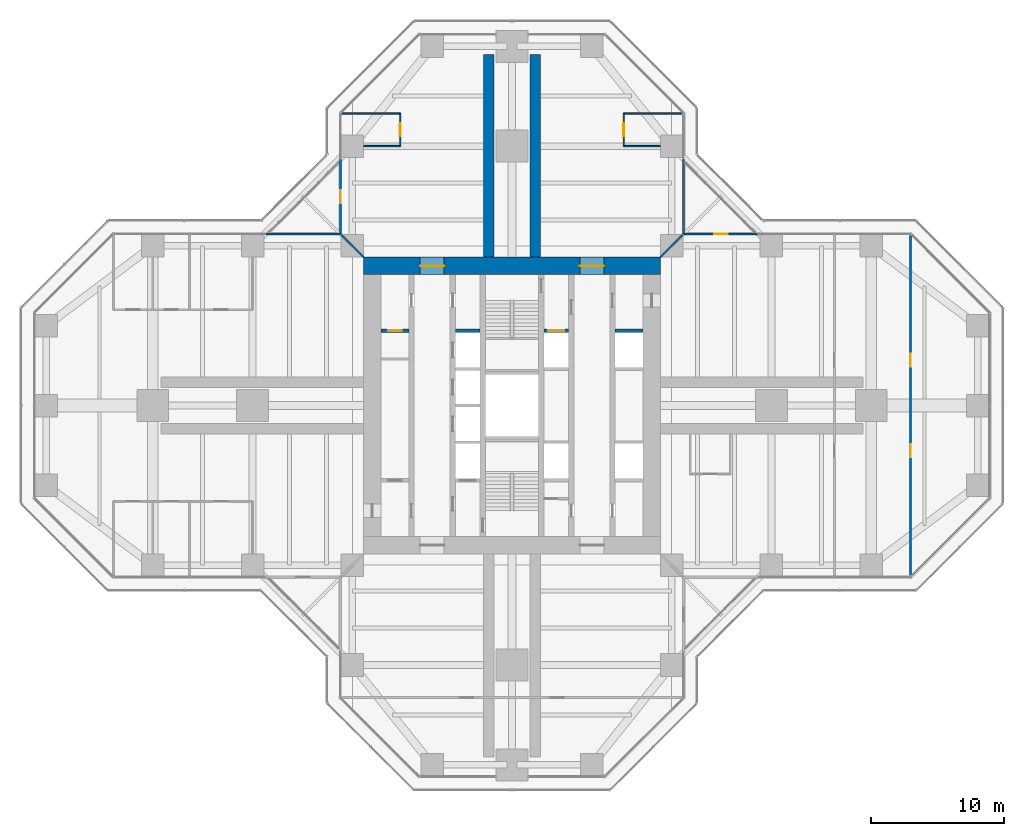
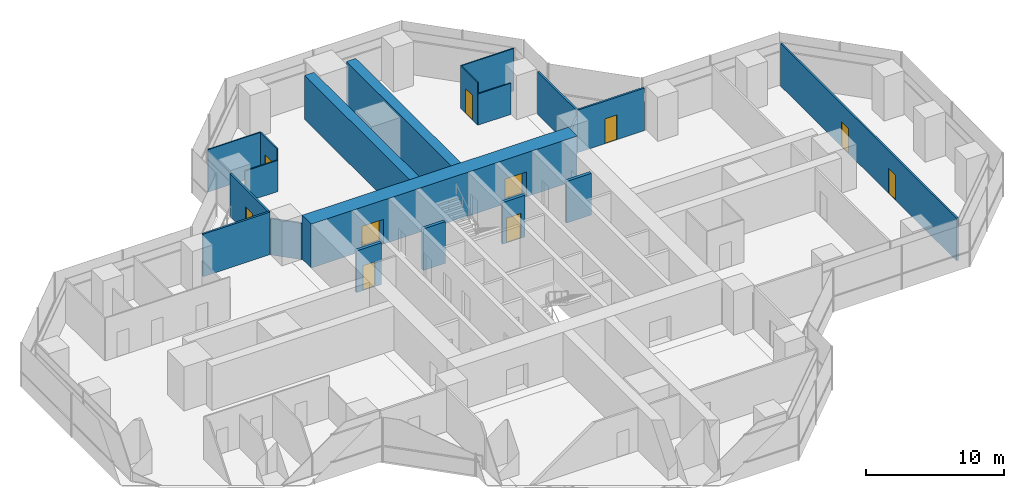
# One storey, part 17 of 20: 20 walls, 10 doors, 10 openings.
"""IFC4 building model written with IfcOpenShell, lengths in metres."""

from ifc_helpers import new_model, si_unit, direction, frame, frame_2d, origin, place, context, subcontext, project, spatial, rectangle, extrude, material, layer, layer_set, type_object, element, fill, save


model = new_model("IFC4")

# Units and contexts
model_context = context("Model", 3, precision=1e-05, world=origin(), true_north=direction((0.0, 1.0)))
body_context = subcontext(model_context, "Body", "Model", "MODEL_VIEW")
ifc_project = project(units=[si_unit("LENGTHUNIT", "METRE"), si_unit("AREAUNIT", "SQUARE_METRE"), si_unit("VOLUMEUNIT", "CUBIC_METRE"), si_unit("PLANEANGLEUNIT", "RADIAN"), si_unit("MASSUNIT", "GRAM", prefix="KILO")], contexts=[model_context])

# Site, building, storey
site_placement = place(None, origin())
site = spatial("IfcSite", under=ifc_project, at=site_placement, CompositionType="ELEMENT")
building_placement = place(site_placement, origin())
building = spatial("IfcBuilding", under=site, at=building_placement, Name="Mizan Broadcast Tower", CompositionType="ELEMENT")
storey_placement = place(building_placement, frame((0.0, 0.0, 174.89990234375)))
storey = spatial("IfcBuildingStorey", under=building, at=storey_placement, Name="L40", CompositionType="ELEMENT", Elevation=174.89990234375)

# Wall, openings, doors
ifc_material_1 = material(Name="Concrete C70/85", Category="concrete")
ifc_layer_1 = layer(ifc_material_1, 1.300048828125)
ifc_layer_set_1 = layer_set([ifc_layer_1], Name="Concrete C70/85")
wall_type_1 = type_object("IfcWallType", Name="CORE WALL 1300", PredefinedType="SHEAR", material=ifc_layer_set_1)
wall_1_placement = place(storey_placement, frame((-11.14990234375, 10.5, 0.0), z_axis=(0.0, 0.0, 1.0), x_axis=(1.0, 0.0, 0.0)))
wall_1 = element("IfcWall", 1, at=wall_1_placement, inside=storey, type_object=wall_type_1, Name="Core wall N L40", PredefinedType="SHEAR", context=body_context, shape_type="SweptSolid", body=[
    extrude(rectangle(XDim=22.2998046875, YDim=1.300048828125, at=frame_2d((11.14990234375, 0.0))), origin(), (0.0, 0.0, 1.0), 3.900146484375),
])
opening_1_placement = place(wall_1_placement, frame((4.25, 0.0, 0.0)))
opening_1 = element("IfcOpeningElement", 2, at=opening_1_placement, cuts=wall_1, Name="Opening D18F", PredefinedType="OPENING", context=body_context, shape_type="SweptSolid", body=[
    extrude(rectangle(XDim=1.800048828125, YDim=2.199951171875, at=frame_2d((0.89990234375, 1.10009765625))), frame((0.0, 0.659912109375, 0.0), z_axis=(0.0, -1.0, 0.0), x_axis=(1.0, 0.0, 0.0)), (0.0, 0.0, 1.0), 1.320068359375),
])
opening_2_placement = place(wall_1_placement, frame((16.25, 0.0, 0.0)))
opening_2 = element("IfcOpeningElement", 3, at=opening_2_placement, cuts=wall_1, Name="Opening D18F", PredefinedType="OPENING", context=body_context, shape_type="SweptSolid", body=[
    extrude(rectangle(XDim=1.800048828125, YDim=2.199951171875, at=frame_2d((0.89990234375, 1.10009765625))), frame((0.0, 0.659912109375, 0.0), z_axis=(0.0, -1.0, 0.0), x_axis=(1.0, 0.0, 0.0)), (0.0, 0.0, 1.0), 1.320068359375),
])
ifc_material_2 = material(Name="Steel door leaf in steel frame", Category="steel")
door_type_1 = type_object("IfcDoorType", Name="LOBBY DOUBLE DOOR 1800 FD90", OperationType="DOUBLE_DOOR_DOUBLE_SWING", PredefinedType="DOOR", material=ifc_material_2)
door_1_placement = place(opening_1_placement, origin())
door_1 = element("IfcDoor", 4, at=door_1_placement, inside=storey, type_object=door_type_1, Name="West lift lobby north door", OperationType="DOUBLE_DOOR_DOUBLE_SWING", OverallHeight=2.199951171875, OverallWidth=1.800048828125, PredefinedType="DOOR", context=body_context, shape_type="SweptSolid", body=[
    extrude(rectangle(XDim=1.800048828125, YDim=2.199951171875, at=frame_2d((0.89990234375, 1.10009765625))), frame((0.0, 0.02490234375, 0.0), z_axis=(0.0, -1.0, 0.0), x_axis=(1.0, 0.0, 0.0)), (0.0, 0.0, 1.0), 0.050048828125),
])
fill(opening_1, door_1)
door_2_placement = place(opening_2_placement, origin())
door_2 = element("IfcDoor", 5, at=door_2_placement, inside=storey, type_object=door_type_1, Name="East lift lobby north door", OperationType="DOUBLE_DOOR_DOUBLE_SWING", OverallHeight=2.199951171875, OverallWidth=1.800048828125, PredefinedType="DOOR", context=body_context, shape_type="SweptSolid", body=[
    extrude(rectangle(XDim=1.800048828125, YDim=2.199951171875, at=frame_2d((0.89990234375, 1.10009765625))), frame((0.0, 0.02490234375, 0.0), z_axis=(0.0, -1.0, 0.0), x_axis=(1.0, 0.0, 0.0)), (0.0, 0.0, 1.0), 0.050048828125),
])
fill(opening_2, door_2)

# Wall, opening, door
ifc_material_3 = material(Name="Aluminium framed glazed screen", Category="aluminium")
ifc_layer_2 = layer(ifc_material_3, 0.159912109375)
ifc_layer_set_2 = layer_set([ifc_layer_2], Name="Aluminium framed glazed screen")
wall_type_2 = type_object("IfcWallType", Name="GLAZED SCREEN WALL 160", PredefinedType="SOLIDWALL", material=ifc_layer_set_2)
wall_2_placement = place(storey_placement, frame((18.5, 12.89990234375, 0.0), z_axis=(0.0, 0.0, 1.0), x_axis=(-1.0, 0.0, 0.0)))
wall_2 = element("IfcWall", 6, at=wall_2_placement, inside=storey, type_object=wall_type_2, Name="Winter garden screen L40 E", PredefinedType="SOLIDWALL", context=body_context, shape_type="SweptSolid", body=[
    extrude(rectangle(XDim=5.60009765625, YDim=0.159912109375, at=frame_2d((2.800048828125, 0.0))), origin(), (0.0, 0.0, 1.0), 3.77001953125),
])
opening_3_placement = place(wall_2_placement, frame((2.300048828125, 0.0, 0.0)))
opening_3 = element("IfcOpeningElement", 7, at=opening_3_placement, cuts=wall_2, Name="Opening WGD", PredefinedType="OPENING", context=body_context, shape_type="SweptSolid", body=[
    extrude(rectangle(XDim=1.0, YDim=2.199951171875, at=frame_2d((0.5, 1.10009765625))), frame((0.0, 0.08984375, 0.0), z_axis=(0.0, -1.0, 0.0), x_axis=(1.0, 0.0, 0.0)), (0.0, 0.0, 1.0), 0.179931640625),
])
ifc_material_4 = material(Name="Aluminium framed glazed door", Category="aluminium")
door_type_2 = type_object("IfcDoorType", Name="WINTER GARDEN DOOR 1000 GLAZED", OperationType="SINGLE_SWING_LEFT", PredefinedType="DOOR", material=ifc_material_4)
door_3_placement = place(opening_3_placement, origin())
door_3 = element("IfcDoor", 8, at=door_3_placement, inside=storey, type_object=door_type_2, Name="Winter garden door L40 E", OperationType="SINGLE_SWING_RIGHT", OverallHeight=2.199951171875, OverallWidth=1.0, PredefinedType="DOOR", context=body_context, shape_type="SweptSolid", body=[
    extrude(rectangle(XDim=1.0, YDim=2.199951171875, at=frame_2d((0.5, 1.10009765625))), frame((0.0, 0.02490234375, 0.0), z_axis=(0.0, -1.0, 0.0), x_axis=(1.0, 0.0, 0.0)), (0.0, 0.0, 1.0), 0.050048828125),
])
fill(opening_3, door_3)

# Wall
wall_3_placement = place(storey_placement, frame((12.89990234375, 12.89990234375, 0.0), z_axis=(0.0, 0.0, 1.0), x_axis=(0.0, 1.0, 0.0)))
element("IfcWall", 9, at=wall_3_placement, inside=storey, type_object=wall_type_2, Name="Winter garden screen L40 N", PredefinedType="SOLIDWALL", context=body_context, shape_type="SweptSolid", body=[
    extrude(rectangle(XDim=5.60009765625, YDim=0.159912109375, at=frame_2d((2.800048828125, 0.0))), origin(), (0.0, 0.0, 1.0), 3.77001953125),
])

# Wall, opening, door
wall_4_placement = place(storey_placement, frame((-12.89990234375, 18.5, 0.0), z_axis=(0.0, 0.0, 1.0), x_axis=(0.0, -1.0, 0.0)))
wall_4 = element("IfcWall", 10, at=wall_4_placement, inside=storey, type_object=wall_type_2, Name="Winter garden screen L40 N", PredefinedType="SOLIDWALL", context=body_context, shape_type="SweptSolid", body=[
    extrude(rectangle(XDim=5.60009765625, YDim=0.159912109375, at=frame_2d((2.800048828125, 0.0))), origin(), (0.0, 0.0, 1.0), 3.77001953125),
])
opening_4_placement = place(wall_4_placement, frame((2.300048828125, 0.0, 0.0)))
opening_4 = element("IfcOpeningElement", 11, at=opening_4_placement, cuts=wall_4, Name="Opening WGD", PredefinedType="OPENING", context=body_context, shape_type="SweptSolid", body=[
    extrude(rectangle(XDim=1.0, YDim=2.199951171875, at=frame_2d((0.5, 1.10009765625))), frame((0.0, 0.08984375, 0.0), z_axis=(0.0, -1.0, 0.0), x_axis=(1.0, 0.0, 0.0)), (0.0, 0.0, 1.0), 0.179931640625),
])
door_4_placement = place(opening_4_placement, origin())
door_4 = element("IfcDoor", 12, at=door_4_placement, inside=storey, type_object=door_type_2, Name="Winter garden door L40 N", OperationType="SINGLE_SWING_RIGHT", OverallHeight=2.199951171875, OverallWidth=1.0, PredefinedType="DOOR", context=body_context, shape_type="SweptSolid", body=[
    extrude(rectangle(XDim=1.0, YDim=2.199951171875, at=frame_2d((0.5, 1.10009765625))), frame((0.0, 0.02490234375, 0.0), z_axis=(0.0, -1.0, 0.0), x_axis=(1.0, 0.0, 0.0)), (0.0, 0.0, 1.0), 0.050048828125),
])
fill(opening_4, door_4)

# Wall
wall_5_placement = place(storey_placement, frame((-12.89990234375, 12.89990234375, 0.0), z_axis=(0.0, 0.0, 1.0), x_axis=(-1.0, 0.0, 0.0)))
element("IfcWall", 13, at=wall_5_placement, inside=storey, type_object=wall_type_2, Name="Winter garden screen L40 W", PredefinedType="SOLIDWALL", context=body_context, shape_type="SweptSolid", body=[
    extrude(rectangle(XDim=5.60009765625, YDim=0.159912109375, at=frame_2d((2.800048828125, 0.0))), origin(), (0.0, 0.0, 1.0), 3.77001953125),
])

# Wall, opening, door
ifc_material_5 = material(Name="Concrete blockwork", Category="masonry")
ifc_layer_3 = layer(ifc_material_5, 0.25)
ifc_layer_set_3 = layer_set([ifc_layer_3], Name="Concrete blockwork")
wall_type_3 = type_object("IfcWallType", Name="LOBBY ENCLOSURE WALL 250", PredefinedType="SOLIDWALL", material=ifc_layer_set_3)
wall_6_placement = place(storey_placement, frame((-9.85009765625, 5.625, 0.0), z_axis=(0.0, 0.0, 1.0), x_axis=(1.0, 0.0, 0.0)))
wall_6 = element("IfcWall", 14, at=wall_6_placement, inside=storey, type_object=wall_type_3, Name="Lobby enclosure wall CORE/BW1N", PredefinedType="SOLIDWALL", context=body_context, shape_type="SweptSolid", body=[
    extrude(rectangle(XDim=2.10009765625, YDim=0.25, at=frame_2d((1.050048828125, 0.0))), origin(), (0.0, 0.0, 1.0), 3.7001953125),
])
opening_5_placement = place(wall_6_placement, frame((0.550048828125, 0.0, 0.0)))
opening_5 = element("IfcOpeningElement", 15, at=opening_5_placement, cuts=wall_6, Name="Opening D10F", PredefinedType="OPENING", context=body_context, shape_type="SweptSolid", body=[
    extrude(rectangle(XDim=1.0, YDim=2.199951171875, at=frame_2d((0.5, 1.10009765625))), frame((0.0, 0.135009765625, 0.0), z_axis=(0.0, -1.0, 0.0), x_axis=(1.0, 0.0, 0.0)), (0.0, 0.0, 1.0), 0.27001953125),
])
ifc_material_6 = material(Name="Steel door leaf in steel frame", Category="steel")
door_type_3 = type_object("IfcDoorType", Name="FIRE DOOR 1000 FD90", OperationType="SINGLE_SWING_LEFT", PredefinedType="DOOR", material=ifc_material_6)
door_5_placement = place(opening_5_placement, origin())
door_5 = element("IfcDoor", 16, at=door_5_placement, inside=storey, type_object=door_type_3, Name="Male staff shower room door", OperationType="SINGLE_SWING_RIGHT", OverallHeight=2.199951171875, OverallWidth=1.0, PredefinedType="DOOR", context=body_context, shape_type="SweptSolid", body=[
    extrude(rectangle(XDim=1.0, YDim=2.199951171875, at=frame_2d((0.5, 1.10009765625))), frame((0.0, 0.02490234375, 0.0), z_axis=(0.0, -1.0, 0.0), x_axis=(1.0, 0.0, 0.0)), (0.0, 0.0, 1.0), 0.050048828125),
])
fill(opening_5, door_5)

# Wall
wall_7_placement = place(storey_placement, frame((-4.25, 5.625, 0.0), z_axis=(0.0, 0.0, 1.0), x_axis=(1.0, 0.0, 0.0)))
element("IfcWall", 17, at=wall_7_placement, inside=storey, type_object=wall_type_3, Name="Lobby enclosure wall CORE/BW2N", PredefinedType="SOLIDWALL", context=body_context, shape_type="SweptSolid", body=[
    extrude(rectangle(XDim=1.85009765625, YDim=0.25, at=frame_2d((0.925048828125, 0.0))), origin(), (0.0, 0.0, 1.0), 3.7001953125),
])

# Wall, opening, door
wall_8_placement = place(storey_placement, frame((2.39990234375, 5.625, 0.0), z_axis=(0.0, 0.0, 1.0), x_axis=(1.0, 0.0, 0.0)))
wall_8 = element("IfcWall", 18, at=wall_8_placement, inside=storey, type_object=wall_type_3, Name="Lobby enclosure wall CORE/BE2N", PredefinedType="SOLIDWALL", context=body_context, shape_type="SweptSolid", body=[
    extrude(rectangle(XDim=1.85009765625, YDim=0.25, at=frame_2d((0.925048828125, 0.0))), origin(), (0.0, 0.0, 1.0), 3.7001953125),
])
opening_6_placement = place(wall_8_placement, frame((0.324951171875, 0.0, 0.0)))
opening_6 = element("IfcOpeningElement", 19, at=opening_6_placement, cuts=wall_8, Name="Opening LDF", PredefinedType="OPENING", context=body_context, shape_type="SweptSolid", body=[
    extrude(rectangle(XDim=1.199951171875, YDim=2.199951171875, at=frame_2d((0.60009765625, 1.10009765625))), frame((0.0, 0.135009765625, 0.0), z_axis=(0.0, -1.0, 0.0), x_axis=(1.0, 0.0, 0.0)), (0.0, 0.0, 1.0), 0.27001953125),
])
ifc_material_7 = material(Name="Steel door leaf in steel frame", Category="steel")
door_type_4 = type_object("IfcDoorType", Name="FIREFIGHTING LIFT LANDING DOOR 1200", OperationType="SLIDING_TO_LEFT", PredefinedType="DOOR", material=ifc_material_7)
door_6_placement = place(opening_6_placement, origin())
door_6 = element("IfcDoor", 20, at=door_6_placement, inside=storey, type_object=door_type_4, Name="Landing door FF2", OperationType="SLIDING_TO_LEFT", OverallHeight=2.199951171875, OverallWidth=1.199951171875, PredefinedType="DOOR", context=body_context, shape_type="SweptSolid", body=[
    extrude(rectangle(XDim=1.199951171875, YDim=2.199951171875, at=frame_2d((0.60009765625, 1.10009765625))), frame((0.0, 0.02490234375, 0.0), z_axis=(0.0, -1.0, 0.0), x_axis=(1.0, 0.0, 0.0)), (0.0, 0.0, 1.0), 0.050048828125),
])
fill(opening_6, door_6)

# Wall
wall_9_placement = place(storey_placement, frame((7.75, 5.625, 0.0), z_axis=(0.0, 0.0, 1.0), x_axis=(1.0, 0.0, 0.0)))
element("IfcWall", 21, at=wall_9_placement, inside=storey, type_object=wall_type_3, Name="Lobby enclosure wall CORE/BE1N", PredefinedType="SOLIDWALL", context=body_context, shape_type="SweptSolid", body=[
    extrude(rectangle(XDim=2.10009765625, YDim=0.25, at=frame_2d((1.050048828125, 0.0))), origin(), (0.0, 0.0, 1.0), 3.7001953125),
])

# Wall, openings, doors
ifc_material_8 = material(Name="Gypsum board on steel studs", Category="steel")
ifc_layer_4 = layer(ifc_material_8, 0.14990234375)
ifc_layer_set_4 = layer_set([ifc_layer_4], Name="Gypsum board on steel studs")
wall_type_4 = type_object("IfcWallType", Name="PARTITION 150", PredefinedType="PARTITIONING", material=ifc_layer_set_4)
wall_10_placement = place(storey_placement, frame((29.958984375, -12.786376953125, 0.0), z_axis=(0.0, 0.0, 1.0), x_axis=(0.0, 1.0, 0.0)))
wall_10 = element("IfcWall", 22, at=wall_10_placement, inside=storey, type_object=wall_type_4, Name="Partition PT/EX2", PredefinedType="PARTITIONING", context=body_context, shape_type="SweptSolid", body=[
    extrude(rectangle(XDim=25.57275390625, YDim=0.14990234375, at=frame_2d((12.786376953125, 0.0))), origin(), (0.0, 0.0, 1.0), 3.77001953125),
])
opening_7_placement = place(wall_10_placement, frame((15.6865234375, 0.0, 0.0)))
opening_7 = element("IfcOpeningElement", 23, at=opening_7_placement, cuts=wall_10, Name="Opening D10", PredefinedType="OPENING", context=body_context, shape_type="SweptSolid", body=[
    extrude(rectangle(XDim=1.0, YDim=2.199951171875, at=frame_2d((0.5, 1.10009765625))), frame((0.0, 0.0849609375, 0.0), z_axis=(0.0, -1.0, 0.0), x_axis=(1.0, 0.0, 0.0)), (0.0, 0.0, 1.0), 0.169921875),
])
opening_8_placement = place(wall_10_placement, frame((8.886474609375, 0.0, 0.0)))
opening_8 = element("IfcOpeningElement", 24, at=opening_8_placement, cuts=wall_10, Name="Opening D10", PredefinedType="OPENING", context=body_context, shape_type="SweptSolid", body=[
    extrude(rectangle(XDim=1.0, YDim=2.199951171875, at=frame_2d((0.5, 1.10009765625))), frame((0.0, 0.0849609375, 0.0), z_axis=(0.0, -1.0, 0.0), x_axis=(1.0, 0.0, 0.0)), (0.0, 0.0, 1.0), 0.169921875),
])
ifc_material_9 = material(Name="Timber door leaf in aluminium frame", Category="wood")
door_type_5 = type_object("IfcDoorType", Name="ROOM DOOR 1000", OperationType="SINGLE_SWING_LEFT", PredefinedType="DOOR", material=ifc_material_9)
door_7_placement = place(opening_7_placement, origin())
door_7 = element("IfcDoor", 25, at=door_7_placement, inside=storey, type_object=door_type_5, Name="Open office door", OperationType="SINGLE_SWING_RIGHT", OverallHeight=2.199951171875, OverallWidth=1.0, PredefinedType="DOOR", context=body_context, shape_type="SweptSolid", body=[
    extrude(rectangle(XDim=1.0, YDim=2.199951171875, at=frame_2d((0.5, 1.10009765625))), frame((0.0, 0.02490234375, 0.0), z_axis=(0.0, -1.0, 0.0), x_axis=(1.0, 0.0, 0.0)), (0.0, 0.0, 1.0), 0.050048828125),
])
fill(opening_7, door_7)
door_8_placement = place(opening_8_placement, origin())
door_8 = element("IfcDoor", 26, at=door_8_placement, inside=storey, type_object=door_type_5, Name="Open office door", OperationType="SINGLE_SWING_LEFT", OverallHeight=2.199951171875, OverallWidth=1.0, PredefinedType="DOOR", context=body_context, shape_type="SweptSolid", body=[
    extrude(rectangle(XDim=1.0, YDim=2.199951171875, at=frame_2d((0.5, 1.10009765625))), frame((0.0, 0.02490234375, 0.0), z_axis=(0.0, -1.0, 0.0), x_axis=(1.0, 0.0, 0.0)), (0.0, 0.0, 1.0), 0.050048828125),
])
fill(opening_8, door_8)

# Walls
for number, where, z_axis, x_axis, name in (
    (27, (11.14990234375, 11.14990234375, 0.0), (0.0, 0.0, 1.0), (0.707106781187, 0.707106781187, 0.0), "Partition PT/DGEN"),
    (28, (-11.14990234375, 11.14990234375, 0.0), (0.0, 0.0, 1.0), (-0.707106781187, 0.707106781187, 0.0), "Partition PT/DGWN"),
):
    element("IfcWall", number, at=place(storey_placement, frame(where, z_axis=z_axis, x_axis=x_axis)), inside=storey, type_object=wall_type_4, Name=name, PredefinedType="PARTITIONING", context=body_context, shape_type="SweptSolid", body=[
        extrude(rectangle(XDim=2.362060546875, YDim=0.14990234375, at=frame_2d((1.18115234375, 0.0))), origin(), (0.0, 0.0, 1.0), 3.22021484375),
    ])

# Wall, opening, door
ifc_material_10 = material(Name="Glazed aluminium partition on aluminium track", Category="aluminium")
ifc_layer_5 = layer(ifc_material_10, 0.10009765625)
ifc_layer_set_5 = layer_set([ifc_layer_5], Name="Glazed aluminium partition on aluminium track")
wall_type_5 = type_object("IfcWallType", Name="PARTITION GLAZED OFFICE FRONT 100", PredefinedType="PARTITIONING", material=ifc_layer_set_5)
wall_11_placement = place(storey_placement, frame((-8.39990234375, 19.5, 0.0), z_axis=(0.0, 0.0, 1.0), x_axis=(0.0, 1.0, 0.0)))
wall_11 = element("IfcWall", 29, at=wall_11_placement, inside=storey, type_object=wall_type_5, Name="Glazed office front PT/NCP0", PredefinedType="PARTITIONING", context=body_context, shape_type="SweptSolid", body=[
    extrude(rectangle(XDim=2.458984375, YDim=0.10009765625, at=frame_2d((1.2294921875, 0.0))), origin(), (0.0, 0.0, 1.0), 3.77001953125),
])
opening_9_placement = place(wall_11_placement, frame((0.7294921875, 0.0, 0.0)))
opening_9 = element("IfcOpeningElement", 30, at=opening_9_placement, cuts=wall_11, Name="Opening D10O", PredefinedType="OPENING", context=body_context, shape_type="SweptSolid", body=[
    extrude(rectangle(XDim=1.0, YDim=2.199951171875, at=frame_2d((0.5, 1.10009765625))), frame((0.0, 0.06005859375, 0.0), z_axis=(0.0, -1.0, 0.0), x_axis=(1.0, 0.0, 0.0)), (0.0, 0.0, 1.0), 0.1201171875),
])
ifc_material_11 = material(Name="Timber door leaf in aluminium frame", Category="wood")
door_type_6 = type_object("IfcDoorType", Name="OFFICE DOOR 1000 GLAZED", OperationType="SINGLE_SWING_LEFT", PredefinedType="DOOR", material=ifc_material_11)
door_9_placement = place(opening_9_placement, origin())
door_9 = element("IfcDoor", 31, at=door_9_placement, inside=storey, type_object=door_type_6, Name="Director's office door", OperationType="SINGLE_SWING_LEFT", OverallHeight=2.199951171875, OverallWidth=1.0, PredefinedType="DOOR", context=body_context, shape_type="SweptSolid", body=[
    extrude(rectangle(XDim=1.0, YDim=2.199951171875, at=frame_2d((0.5, 1.10009765625))), frame((0.0, 0.02490234375, 0.0), z_axis=(0.0, -1.0, 0.0), x_axis=(1.0, 0.0, 0.0)), (0.0, 0.0, 1.0), 0.050048828125),
])
fill(opening_9, door_9)

# Walls
wall_12_placement = place(storey_placement, frame((-8.39990234375, 19.5, 0.0), z_axis=(0.0, 0.0, 1.0), x_axis=(-1.0, 0.0, 0.0)))
element("IfcWall", 32, at=wall_12_placement, inside=storey, type_object=wall_type_5, Name="Glazed office front PT/NQP1950", PredefinedType="PARTITIONING", context=body_context, shape_type="SweptSolid", body=[
    extrude(rectangle(XDim=2.75, YDim=0.10009765625, at=frame_2d((1.375, 0.0))), origin(), (0.0, 0.0, 1.0), 2.77001953125),
])
wall_13_placement = place(storey_placement, frame((-8.39990234375, 21.958984375, 0.0), z_axis=(0.0, 0.0, 1.0), x_axis=(-1.0, 0.0, 0.0)))
element("IfcWall", 33, at=wall_13_placement, inside=storey, type_object=wall_type_5, Name="Glazed office front PT/NQP2196", PredefinedType="PARTITIONING", context=body_context, shape_type="SweptSolid", body=[
    extrude(rectangle(XDim=4.420166015625, YDim=0.10009765625, at=frame_2d((2.2099609375, 0.0))), origin(), (0.0, 0.0, 1.0), 3.77001953125),
])

# Wall, opening, door
wall_14_placement = place(storey_placement, frame((8.39990234375, 19.5, 0.0), z_axis=(0.0, 0.0, 1.0), x_axis=(0.0, 1.0, 0.0)))
wall_14 = element("IfcWall", 34, at=wall_14_placement, inside=storey, type_object=wall_type_5, Name="Glazed office front PT/NCN0", PredefinedType="PARTITIONING", context=body_context, shape_type="SweptSolid", body=[
    extrude(rectangle(XDim=2.458984375, YDim=0.10009765625, at=frame_2d((1.2294921875, 0.0))), origin(), (0.0, 0.0, 1.0), 3.77001953125),
])
opening_10_placement = place(wall_14_placement, frame((0.7294921875, 0.0, 0.0)))
opening_10 = element("IfcOpeningElement", 35, at=opening_10_placement, cuts=wall_14, Name="Opening D10O", PredefinedType="OPENING", context=body_context, shape_type="SweptSolid", body=[
    extrude(rectangle(XDim=1.0, YDim=2.199951171875, at=frame_2d((0.5, 1.10009765625))), frame((0.0, 0.06005859375, 0.0), z_axis=(0.0, -1.0, 0.0), x_axis=(1.0, 0.0, 0.0)), (0.0, 0.0, 1.0), 0.1201171875),
])
door_10_placement = place(opening_10_placement, origin())
door_10 = element("IfcDoor", 36, at=door_10_placement, inside=storey, type_object=door_type_6, Name="Quiet room door", OperationType="SINGLE_SWING_LEFT", OverallHeight=2.199951171875, OverallWidth=1.0, PredefinedType="DOOR", context=body_context, shape_type="SweptSolid", body=[
    extrude(rectangle(XDim=1.0, YDim=2.199951171875, at=frame_2d((0.5, 1.10009765625))), frame((0.0, 0.02490234375, 0.0), z_axis=(0.0, -1.0, 0.0), x_axis=(1.0, 0.0, 0.0)), (0.0, 0.0, 1.0), 0.050048828125),
])
fill(opening_10, door_10)

# Walls
wall_15_placement = place(storey_placement, frame((8.39990234375, 19.5, 0.0), z_axis=(0.0, 0.0, 1.0), x_axis=(1.0, 0.0, 0.0)))
element("IfcWall", 37, at=wall_15_placement, inside=storey, type_object=wall_type_5, Name="Glazed office front PT/NQN1950", PredefinedType="PARTITIONING", context=body_context, shape_type="SweptSolid", body=[
    extrude(rectangle(XDim=2.75, YDim=0.10009765625, at=frame_2d((1.375, 0.0))), origin(), (0.0, 0.0, 1.0), 2.77001953125),
])
wall_16_placement = place(storey_placement, frame((8.39990234375, 21.958984375, 0.0), z_axis=(0.0, 0.0, 1.0), x_axis=(1.0, 0.0, 0.0)))
element("IfcWall", 38, at=wall_16_placement, inside=storey, type_object=wall_type_5, Name="Glazed office front PT/NQN2196", PredefinedType="PARTITIONING", context=body_context, shape_type="SweptSolid", body=[
    extrude(rectangle(XDim=4.420166015625, YDim=0.10009765625, at=frame_2d((2.2099609375, 0.0))), origin(), (0.0, 0.0, 1.0), 3.77001953125),
])
ifc_material_12 = material(Name="Concrete C70/85", Category="concrete")
ifc_layer_6 = layer(ifc_material_12, 0.800048828125)
ifc_layer_set_6 = layer_set([ifc_layer_6], Name="Concrete C70/85")
wall_type_6 = type_object("IfcWallType", Name="SPINE WALL 800", PredefinedType="SHEAR", material=ifc_layer_set_6)
for number, where, z_axis, x_axis, name in (
    (39, (1.75, 11.14990234375, 0.0), (0.0, 0.0, 1.0), (0.0, 1.0, 0.0), "Spine wall NR L40"),
    (40, (-1.75, 11.14990234375, 0.0), (0.0, 0.0, 1.0), (0.0, 1.0, 0.0), "Spine wall NL L40"),
):
    element("IfcWall", number, at=place(storey_placement, frame(where, z_axis=z_axis, x_axis=x_axis)), inside=storey, type_object=wall_type_6, Name=name, PredefinedType="SHEAR", context=body_context, shape_type="SweptSolid", body=[
        extrude(rectangle(XDim=15.25, YDim=0.800048828125, at=frame_2d((7.625, 0.0))), origin(), (0.0, 0.0, 1.0), 3.900146484375),
    ])

save(model, "model.ifc")
